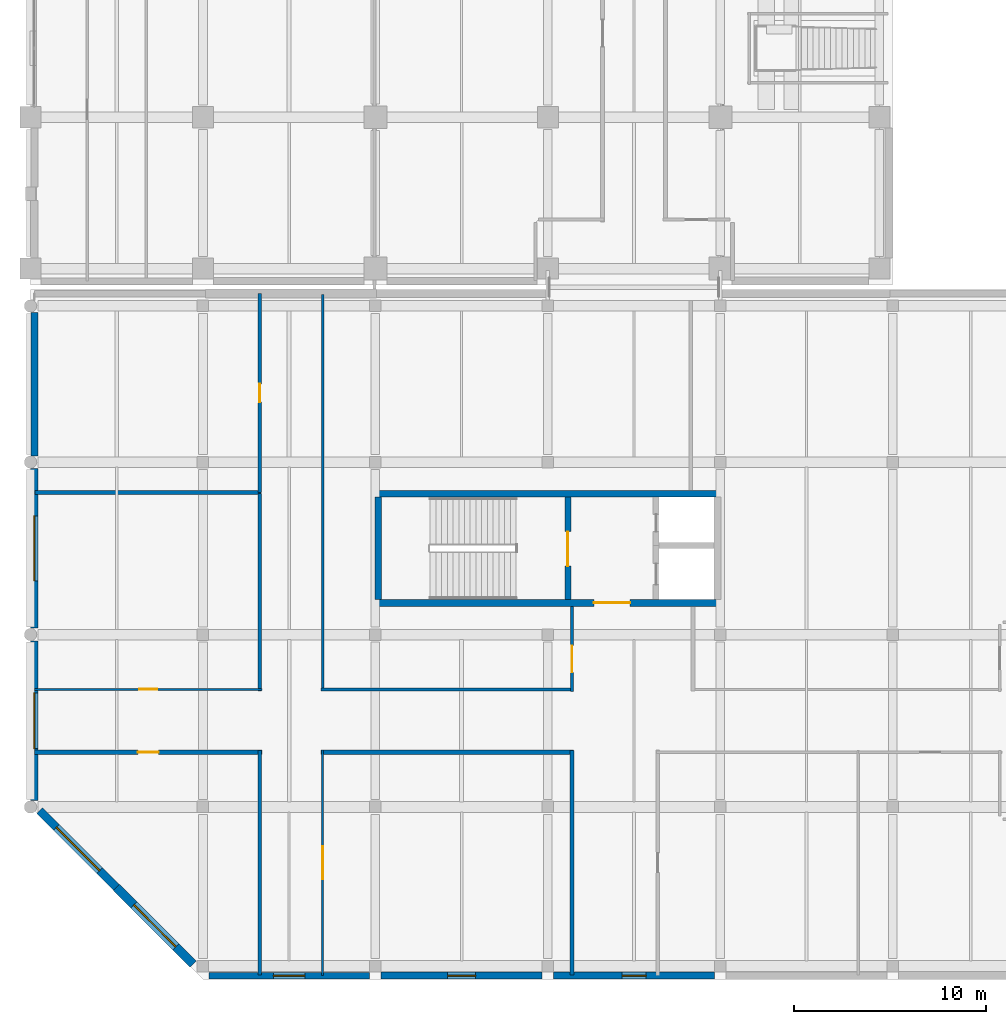
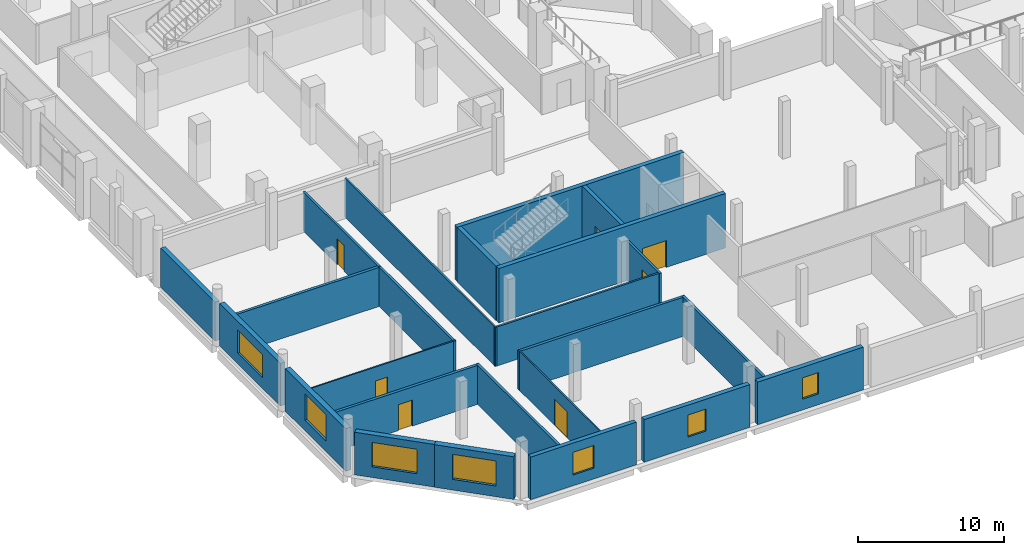
# One storey, part 51 of 100: 24 walls, 7 doors, 7 windows, 14 openings.
"""IFC4 building model written with IfcOpenShell, lengths in metres."""

from ifc_helpers import new_model, si_unit, direction, frame, frame_2d, origin, place, context, subcontext, project, spatial, rectangle, extrude, material, layer, layer_set, type_object, element, fill, save


model = new_model("IFC4")

# Units and contexts
model_context = context("Model", 3, precision=1e-05, world=origin(), true_north=direction((0.0, 1.0)))
body_context = subcontext(model_context, "Body", "Model", "MODEL_VIEW")
ifc_project = project(units=[si_unit("LENGTHUNIT", "METRE"), si_unit("AREAUNIT", "SQUARE_METRE"), si_unit("VOLUMEUNIT", "CUBIC_METRE"), si_unit("PLANEANGLEUNIT", "RADIAN"), si_unit("MASSUNIT", "GRAM", prefix="KILO"), si_unit("THERMODYNAMICTEMPERATUREUNIT", "KELVIN"), si_unit("POWERUNIT", "WATT")], contexts=[model_context])

# Site, building, storey
site_placement = place(None, origin())
site = spatial("IfcSite", under=ifc_project, at=site_placement, CompositionType="ELEMENT")
building_placement = place(site_placement, origin())
building = spatial("IfcBuilding", under=site, at=building_placement, Name="Sindhuravela Promenade Stadium", CompositionType="ELEMENT")
storey_placement = place(building_placement, frame((0.0, 0.0, 4.800048828125)))
storey = spatial("IfcBuildingStorey", under=building, at=storey_placement, Name="L01", CompositionType="ELEMENT", Elevation=4.800048828125)

# Wall, opening, window
ifc_material_1 = material(Name="Terracotta clay brick masonry (15 MPa)", Category="masonry")
ifc_layer_1 = layer(ifc_material_1, 0.340087890625)
ifc_layer_set_1 = layer_set([ifc_layer_1], Name="Terracotta clay brick masonry (15 MPa)")
wall_type_1 = type_object("IfcWallType", Name="EX-WL-BRK340", PredefinedType="SOLIDWALL", material=ifc_layer_set_1)
wall_1_placement = place(storey_placement, frame((17.695068359375, 0.199951171875, 0.0), z_axis=(0.0, 0.0, 1.0), x_axis=(-1.0, 0.0, 0.0)))
wall_1 = element("IfcWall", 1, at=wall_1_placement, inside=storey, type_object=wall_type_1, Name="Exterior masonry wall EW06 Pavilion SW L01", PredefinedType="SOLIDWALL", context=body_context, shape_type="SweptSolid", body=[
    extrude(rectangle(XDim=8.39013671875, YDim=0.340087890625, at=frame_2d((4.195068359375, 0.0))), origin(), (0.0, 0.0, 1.0), 3.579833984375),
])
opening_1_placement = place(wall_1_placement, frame((3.3701171875, 0.0, 0.89990234375)))
opening_1 = element("IfcOpeningElement", 2, at=opening_1_placement, cuts=wall_1, Name="Opening W27", PredefinedType="OPENING", context=body_context, shape_type="SweptSolid", body=[
    extrude(rectangle(XDim=1.64990234375, YDim=1.89990234375, at=frame_2d((0.824951171875, 0.949951171875))), frame((0.0, 0.179931640625, 0.0), z_axis=(0.0, -1.0, 0.0), x_axis=(1.0, 0.0, 0.0)), (0.0, 0.0, 1.0), 0.360107421875),
])
ifc_material_2 = material(Name="Tempered laminated low-E glass", Category="glass")
window_type_1 = type_object("IfcWindowType", Name="WN-FAC-1650x1900", PartitioningType="SINGLE_PANEL", PredefinedType="WINDOW", material=ifc_material_2)
window_1_placement = place(opening_1_placement, origin())
window_1 = element("IfcWindow", 3, at=window_1_placement, inside=storey, type_object=window_type_1, Name="Window W27 Pavilion SW L01", OverallHeight=1.89990234375, OverallWidth=1.64990234375, PartitioningType="SINGLE_PANEL", PredefinedType="WINDOW", context=body_context, shape_type="SweptSolid", body=[
    extrude(rectangle(XDim=1.64990234375, YDim=1.89990234375, at=frame_2d((0.824951171875, 0.949951171875))), frame((0.0, 0.030029296875, 0.0), z_axis=(0.0, -1.0, 0.0), x_axis=(1.0, 0.0, 0.0)), (0.0, 0.0, 1.0), 0.06005859375),
])
fill(opening_1, window_1)

# Wall
ifc_layer_2 = layer(ifc_material_1, 0.360107421875)
ifc_layer_set_2 = layer_set([ifc_layer_2], Name="Terracotta clay brick masonry (15 MPa)")
wall_type_2 = type_object("IfcWallType", Name="EX-WL-BRK360", PredefinedType="SOLIDWALL", material=ifc_layer_set_2)
wall_2_placement = place(storey_placement, frame((0.199951171875, 27.330078125, 0.0), z_axis=(0.0, 0.0, 1.0), x_axis=(0.0, 1.0, 0.0)))
element("IfcWall", 4, at=wall_2_placement, inside=storey, type_object=wall_type_2, Name="Exterior masonry wall EW05 Pavilion SW L01", PredefinedType="SOLIDWALL", context=body_context, shape_type="SweptSolid", body=[
    extrude(rectangle(XDim=7.489990234375, YDim=0.360107421875, at=frame_2d((3.7451171875, 0.0))), origin(), (0.0, 0.0, 1.0), 3.280029296875),
])

# Wall, opening, window
wall_3_placement = place(storey_placement, frame((26.695068359375, 0.199951171875, 0.0), z_axis=(0.0, 0.0, 1.0), x_axis=(-1.0, 0.0, 0.0)))
wall_3 = element("IfcWall", 5, at=wall_3_placement, inside=storey, type_object=wall_type_2, Name="Exterior masonry wall EW05 Pavilion SW L01", PredefinedType="SOLIDWALL", context=body_context, shape_type="SweptSolid", body=[
    extrude(rectangle(XDim=8.39013671875, YDim=0.360107421875, at=frame_2d((4.195068359375, 0.0))), origin(), (0.0, 0.0, 1.0), 3.579833984375),
])
opening_2_placement = place(wall_3_placement, frame((3.469970703125, 0.0, 0.89990234375)))
opening_2 = element("IfcOpeningElement", 6, at=opening_2_placement, cuts=wall_3, Name="Opening W26", PredefinedType="OPENING", context=body_context, shape_type="SweptSolid", body=[
    extrude(rectangle(XDim=1.449951171875, YDim=1.85009765625, at=frame_2d((0.72509765625, 0.925048828125))), frame((0.0, 0.18994140625, 0.0), z_axis=(0.0, -1.0, 0.0), x_axis=(1.0, 0.0, 0.0)), (0.0, 0.0, 1.0), 0.380126953125),
])
window_type_2 = type_object("IfcWindowType", Name="WN-FAC-1450x1850", PartitioningType="SINGLE_PANEL", PredefinedType="WINDOW", material=ifc_material_2)
window_2_placement = place(opening_2_placement, origin())
window_2 = element("IfcWindow", 7, at=window_2_placement, inside=storey, type_object=window_type_2, Name="Window W26 Pavilion SW L01", OverallHeight=1.85009765625, OverallWidth=1.449951171875, PartitioningType="SINGLE_PANEL", PredefinedType="WINDOW", context=body_context, shape_type="SweptSolid", body=[
    extrude(rectangle(XDim=1.449951171875, YDim=1.85009765625, at=frame_2d((0.72509765625, 0.925048828125))), frame((0.0, 0.030029296875, 0.0), z_axis=(0.0, -1.0, 0.0), x_axis=(1.0, 0.0, 0.0)), (0.0, 0.0, 1.0), 0.06005859375),
])
fill(opening_2, window_2)

ifc_layer_3 = layer(ifc_material_1, 0.3798828125)
ifc_layer_set_3 = layer_set([ifc_layer_3], Name="Terracotta clay brick masonry (15 MPa)")
wall_type_3 = type_object("IfcWallType", Name="EX-WL-BRK380", PredefinedType="SOLIDWALL", material=ifc_layer_set_3)
wall_4_placement = place(storey_placement, frame((0.199951171875, 18.330078125, 0.0), z_axis=(0.0, 0.0, 1.0), x_axis=(0.0, 1.0, 0.0)))
wall_4 = element("IfcWall", 8, at=wall_4_placement, inside=storey, type_object=wall_type_3, Name="Exterior masonry wall EW04 Pavilion SW L01", PredefinedType="SOLIDWALL", context=body_context, shape_type="SweptSolid", body=[
    extrude(rectangle(XDim=8.33984375, YDim=0.3798828125, at=frame_2d((4.169921875, 0.0))), origin(), (0.0, 0.0, 1.0), 3.579833984375),
])
opening_3_placement = place(wall_4_placement, frame((2.469970703125, 0.0, 0.89990234375)))
opening_3 = element("IfcOpeningElement", 9, at=opening_3_placement, cuts=wall_4, Name="Opening W24", PredefinedType="OPENING", context=body_context, shape_type="SweptSolid", body=[
    extrude(rectangle(XDim=3.39990234375, YDim=1.949951171875, at=frame_2d((1.699951171875, 0.97509765625))), frame((0.0, 0.199951171875, 0.0), z_axis=(0.0, -1.0, 0.0), x_axis=(1.0, 0.0, 0.0)), (0.0, 0.0, 1.0), 0.39990234375),
])
window_type_3 = type_object("IfcWindowType", Name="WN-FAC-3400x1950", PartitioningType="DOUBLE_PANEL_VERTICAL", PredefinedType="WINDOW", material=ifc_material_2)
window_3_placement = place(opening_3_placement, origin())
window_3 = element("IfcWindow", 10, at=window_3_placement, inside=storey, type_object=window_type_3, Name="Window W24 Pavilion SW L01", OverallHeight=1.949951171875, OverallWidth=3.39990234375, PartitioningType="DOUBLE_PANEL_VERTICAL", PredefinedType="WINDOW", context=body_context, shape_type="SweptSolid", body=[
    extrude(rectangle(XDim=3.39990234375, YDim=1.949951171875, at=frame_2d((1.699951171875, 0.97509765625))), frame((0.0, 0.030029296875, 0.0), z_axis=(0.0, -1.0, 0.0), x_axis=(1.0, 0.0, 0.0)), (0.0, 0.0, 1.0), 0.06005859375),
])
fill(opening_3, window_3)

wall_5_placement = place(storey_placement, frame((35.695068359375, 0.199951171875, 0.0), z_axis=(0.0, 0.0, 1.0), x_axis=(-1.0, 0.0, 0.0)))
wall_5 = element("IfcWall", 11, at=wall_5_placement, inside=storey, type_object=wall_type_3, Name="Exterior masonry wall EW04 Pavilion SW L01", PredefinedType="SOLIDWALL", context=body_context, shape_type="SweptSolid", body=[
    extrude(rectangle(XDim=8.39013671875, YDim=0.3798828125, at=frame_2d((4.195068359375, 0.0))), origin(), (0.0, 0.0, 1.0), 3.579833984375),
])
opening_4_placement = place(wall_5_placement, frame((3.570068359375, 0.0, 0.89990234375)))
opening_4 = element("IfcOpeningElement", 12, at=opening_4_placement, cuts=wall_5, Name="Opening W25", PredefinedType="OPENING", context=body_context, shape_type="SweptSolid", body=[
    extrude(rectangle(XDim=1.25, YDim=1.800048828125, at=frame_2d((0.625, 0.89990234375))), frame((0.0, 0.199951171875, 0.0), z_axis=(0.0, -1.0, 0.0), x_axis=(1.0, 0.0, 0.0)), (0.0, 0.0, 1.0), 0.39990234375),
])
window_type_4 = type_object("IfcWindowType", Name="WN-FAC-1250x1800", PartitioningType="SINGLE_PANEL", PredefinedType="WINDOW", material=ifc_material_2)
window_4_placement = place(opening_4_placement, origin())
window_4 = element("IfcWindow", 13, at=window_4_placement, inside=storey, type_object=window_type_4, Name="Window W25 Pavilion SW L01", OverallHeight=1.800048828125, OverallWidth=1.25, PartitioningType="SINGLE_PANEL", PredefinedType="WINDOW", context=body_context, shape_type="SweptSolid", body=[
    extrude(rectangle(XDim=1.25, YDim=1.800048828125, at=frame_2d((0.625, 0.89990234375))), frame((0.0, 0.030029296875, 0.0), z_axis=(0.0, -1.0, 0.0), x_axis=(1.0, 0.0, 0.0)), (0.0, 0.0, 1.0), 0.06005859375),
])
fill(opening_4, window_4)

ifc_layer_4 = layer(ifc_material_1, 0.39990234375)
ifc_layer_set_4 = layer_set([ifc_layer_4], Name="Terracotta clay brick masonry (15 MPa)")
wall_type_4 = type_object("IfcWallType", Name="EX-WL-BRK400", PredefinedType="SOLIDWALL", material=ifc_layer_set_4)
wall_6_placement = place(storey_placement, frame((0.199951171875, 9.330078125, 0.0), z_axis=(0.0, 0.0, 1.0), x_axis=(0.0, 1.0, 0.0)))
wall_6 = element("IfcWall", 14, at=wall_6_placement, inside=storey, type_object=wall_type_4, Name="Exterior masonry wall EW03 Pavilion SW L01", PredefinedType="SOLIDWALL", context=body_context, shape_type="SweptSolid", body=[
    extrude(rectangle(XDim=8.33984375, YDim=0.39990234375, at=frame_2d((4.169921875, 0.0))), origin(), (0.0, 0.0, 1.0), 3.579833984375),
])
opening_5_placement = place(wall_6_placement, frame((2.719970703125, 0.0, 0.89990234375)))
opening_5 = element("IfcOpeningElement", 15, at=opening_5_placement, cuts=wall_6, Name="Opening W19", PredefinedType="OPENING", context=body_context, shape_type="SweptSolid", body=[
    extrude(rectangle(XDim=2.89990234375, YDim=2.199951171875, at=frame_2d((1.449951171875, 1.10009765625))), frame((0.0, 0.2099609375, 0.0), z_axis=(0.0, -1.0, 0.0), x_axis=(1.0, 0.0, 0.0)), (0.0, 0.0, 1.0), 0.419921875),
])
window_type_5 = type_object("IfcWindowType", Name="WN-FAC-2900x2200", PartitioningType="DOUBLE_PANEL_VERTICAL", PredefinedType="WINDOW", material=ifc_material_2)
window_5_placement = place(opening_5_placement, origin())
window_5 = element("IfcWindow", 16, at=window_5_placement, inside=storey, type_object=window_type_5, Name="Window W23 Pavilion SW L01", OverallHeight=2.199951171875, OverallWidth=2.89990234375, PartitioningType="DOUBLE_PANEL_VERTICAL", PredefinedType="WINDOW", context=body_context, shape_type="SweptSolid", body=[
    extrude(rectangle(XDim=2.89990234375, YDim=2.199951171875, at=frame_2d((1.449951171875, 1.10009765625))), frame((0.0, 0.030029296875, 0.0), z_axis=(0.0, -1.0, 0.0), x_axis=(1.0, 0.0, 0.0)), (0.0, 0.0, 1.0), 0.06005859375),
])
fill(opening_5, window_5)

ifc_layer_5 = layer(ifc_material_1, 0.419921875)
ifc_layer_set_5 = layer_set([ifc_layer_5], Name="Terracotta clay brick masonry (15 MPa)")
wall_type_5 = type_object("IfcWallType", Name="EX-WL-BRK420", PredefinedType="SOLIDWALL", material=ifc_layer_set_5)
wall_7_placement = place(storey_placement, frame((4.47900390625, 4.803955078125, 0.0), z_axis=(0.0, 0.0, 1.0), x_axis=(-0.7071067811865476, 0.7071067811865476, 0.0)))
wall_7 = element("IfcWall", 17, at=wall_7_placement, inside=storey, type_object=wall_type_5, Name="Exterior masonry wall EW02 Pavilion SW L01", PredefinedType="SOLIDWALL", context=body_context, shape_type="SweptSolid", body=[
    extrude(rectangle(XDim=5.669677734375, YDim=0.419921875, at=frame_2d((2.8349609375, 0.0))), origin(), (0.0, 0.0, 1.0), 3.579833984375),
])
opening_6_placement = place(wall_7_placement, frame((1.23486328125, 0.0, 0.89990234375)))
opening_6 = element("IfcOpeningElement", 18, at=opening_6_placement, cuts=wall_7, Name="Opening W22", PredefinedType="OPENING", context=body_context, shape_type="SweptSolid", body=[
    extrude(rectangle(XDim=3.199951171875, YDim=2.050048828125, at=frame_2d((1.60009765625, 1.02490234375))), frame((0.0, 0.219970703125, 0.0), z_axis=(0.0, -1.0, 0.0), x_axis=(1.0, 0.0, 0.0)), (0.0, 0.0, 1.0), 0.43994140625),
])
window_type_6 = type_object("IfcWindowType", Name="WN-FAC-3200x2050", PartitioningType="DOUBLE_PANEL_VERTICAL", PredefinedType="WINDOW", material=ifc_material_2)
window_6_placement = place(opening_6_placement, origin())
window_6 = element("IfcWindow", 19, at=window_6_placement, inside=storey, type_object=window_type_6, Name="Window W22 Pavilion SW L01", OverallHeight=2.050048828125, OverallWidth=3.199951171875, PartitioningType="DOUBLE_PANEL_VERTICAL", PredefinedType="WINDOW", context=body_context, shape_type="SweptSolid", body=[
    extrude(rectangle(XDim=3.199951171875, YDim=2.050048828125, at=frame_2d((1.60009765625, 1.02490234375))), frame((0.0, 0.030029296875, 0.0), z_axis=(0.0, -1.0, 0.0), x_axis=(1.0, 0.0, 0.0)), (0.0, 0.0, 1.0), 0.06005859375),
])
fill(opening_6, window_6)

ifc_layer_6 = layer(ifc_material_1, 0.4599609375)
ifc_layer_set_6 = layer_set([ifc_layer_6], Name="Terracotta clay brick masonry (15 MPa)")
wall_type_6 = type_object("IfcWallType", Name="EX-WL-BRK460", PredefinedType="SOLIDWALL", material=ifc_layer_set_6)
wall_8_placement = place(storey_placement, frame((8.48779296875, 0.794921875, 0.0), z_axis=(0.0, 0.0, 1.0), x_axis=(-0.7070852496391992, 0.7071283120782759, 0.0)))
wall_8 = element("IfcWall", 20, at=wall_8_placement, inside=storey, type_object=wall_type_6, Name="Exterior masonry wall EW01 Pavilion SW L01", PredefinedType="SOLIDWALL", context=body_context, shape_type="SweptSolid", body=[
    extrude(rectangle(XDim=5.66943359375, YDim=0.4599609375, at=frame_2d((2.834716796875, 0.0))), origin(), (0.0, 0.0, 1.0), 3.579833984375),
])
opening_7_placement = place(wall_8_placement, frame((1.284912109375, 0.0, 0.89990234375)))
opening_7 = element("IfcOpeningElement", 21, at=opening_7_placement, cuts=wall_8, Name="Opening W21", PredefinedType="OPENING", context=body_context, shape_type="SweptSolid", body=[
    extrude(rectangle(XDim=3.10009765625, YDim=2.10009765625, at=frame_2d((1.550048828125, 1.050048828125))), frame((0.0, 0.239990234375, 0.0), z_axis=(0.0, -1.0, 0.0), x_axis=(1.0, 0.0, 0.0)), (0.0, 0.0, 1.0), 0.47998046875),
])
window_type_7 = type_object("IfcWindowType", Name="WN-FAC-3100x2100", PartitioningType="DOUBLE_PANEL_VERTICAL", PredefinedType="WINDOW", material=ifc_material_2)
window_7_placement = place(opening_7_placement, origin())
window_7 = element("IfcWindow", 22, at=window_7_placement, inside=storey, type_object=window_type_7, Name="Window W21 Pavilion SW L01", OverallHeight=2.10009765625, OverallWidth=3.10009765625, PartitioningType="DOUBLE_PANEL_VERTICAL", PredefinedType="WINDOW", context=body_context, shape_type="SweptSolid", body=[
    extrude(rectangle(XDim=3.10009765625, YDim=2.10009765625, at=frame_2d((1.550048828125, 1.050048828125))), frame((0.0, 0.030029296875, 0.0), z_axis=(0.0, -1.0, 0.0), x_axis=(1.0, 0.0, 0.0)), (0.0, 0.0, 1.0), 0.06005859375),
])
fill(opening_7, window_7)

# Wall, opening, door
ifc_material_3 = material(Name="Fire-rated gypsum partition board", Category="gypsum")
ifc_layer_7 = layer(ifc_material_3, 0.110107421875)
ifc_layer_set_7 = layer_set([ifc_layer_7], Name="Fire-rated gypsum partition board")
wall_type_7 = type_object("IfcWallType", Name="IN-WL-PAR110", PredefinedType="PARTITIONING", material=ifc_layer_set_7)
wall_9_placement = place(storey_placement, frame((15.239990234375, 11.97998046875, 0.0), z_axis=(0.0, 0.0, 1.0), x_axis=(0.0, -1.0, 0.0)))
wall_9 = element("IfcWall", 23, at=wall_9_placement, inside=storey, type_object=wall_type_7, Name="Corridor partition IW06 Refreshment Counter SW L01", PredefinedType="PARTITIONING", context=body_context, shape_type="SweptSolid", body=[
    extrude(rectangle(XDim=11.780029296875, YDim=0.110107421875, at=frame_2d((5.89013671875, 0.0))), origin(), (0.0, 0.0, 1.0), 3.280029296875),
])
opening_8_placement = place(wall_9_placement, frame((5.0400390625, 0.0, 0.0)))
opening_8 = element("IfcOpeningElement", 24, at=opening_8_placement, cuts=wall_9, Name="Opening ID01", PredefinedType="OPENING", context=body_context, shape_type="SweptSolid", body=[
    extrude(rectangle(XDim=1.699951171875, YDim=2.199951171875, at=frame_2d((0.85009765625, 1.10009765625))), frame((0.0, 0.06494140625, 0.0), z_axis=(0.0, -1.0, 0.0), x_axis=(1.0, 0.0, 0.0)), (0.0, 0.0, 1.0), 0.130126953125),
])
ifc_material_4 = material(Name="Architectural teak timber leaf", Category="wood")
door_type_1 = type_object("IfcDoorType", Name="DR-INT-1700x2200", OperationType="DOUBLE_DOOR_SINGLE_SWING", PredefinedType="DOOR", material=ifc_material_4)
door_1_placement = place(opening_8_placement, origin())
door_1 = element("IfcDoor", 25, at=door_1_placement, inside=storey, type_object=door_type_1, Name="Refreshment Counter SW L01 door", OperationType="DOUBLE_DOOR_SINGLE_SWING", OverallHeight=2.199951171875, OverallWidth=1.699951171875, PredefinedType="DOOR", context=body_context, shape_type="SweptSolid", body=[
    extrude(rectangle(XDim=1.699951171875, YDim=2.199951171875, at=frame_2d((0.85009765625, 1.10009765625))), frame((0.0, 0.02490234375, 0.0), z_axis=(0.0, -1.0, 0.0), x_axis=(1.0, 0.0, 0.0)), (0.0, 0.0, 1.0), 0.050048828125),
])
fill(opening_8, door_1)

wall_10_placement = place(storey_placement, frame((0.199951171875, 15.139892578125, 0.0), z_axis=(0.0, 0.0, 1.0), x_axis=(1.0, 0.0, 0.0)))
wall_10 = element("IfcWall", 26, at=wall_10_placement, inside=storey, type_object=wall_type_7, Name="Corridor partition IW06 Gate Concourse Foyer SW L01 2", PredefinedType="PARTITIONING", context=body_context, shape_type="SweptSolid", body=[
    extrude(rectangle(XDim=11.880126953125, YDim=0.110107421875, at=frame_2d((5.93994140625, 0.0))), origin(), (0.0, 0.0, 1.0), 3.280029296875),
])
opening_9_placement = place(wall_10_placement, frame((5.465087890625, 0.0, 0.0)))
opening_9 = element("IfcOpeningElement", 27, at=opening_9_placement, cuts=wall_10, Name="Opening ID09", PredefinedType="OPENING", context=body_context, shape_type="SweptSolid", body=[
    extrude(rectangle(XDim=0.949951171875, YDim=2.10009765625, at=frame_2d((0.47509765625, 1.050048828125))), frame((0.0, 0.06494140625, 0.0), z_axis=(0.0, -1.0, 0.0), x_axis=(1.0, 0.0, 0.0)), (0.0, 0.0, 1.0), 0.130126953125),
])
door_type_2 = type_object("IfcDoorType", Name="DR-INT-950x2100", OperationType="NOTDEFINED", PredefinedType="DOOR", material=ifc_material_4)
door_2_placement = place(opening_9_placement, origin())
door_2 = element("IfcDoor", 28, at=door_2_placement, inside=storey, type_object=door_type_2, Name="Gate Concourse Foyer SW L01 2 door", OperationType="SINGLE_SWING_LEFT", OverallHeight=2.10009765625, OverallWidth=0.949951171875, PredefinedType="DOOR", context=body_context, shape_type="SweptSolid", body=[
    extrude(rectangle(XDim=0.949951171875, YDim=2.10009765625, at=frame_2d((0.47509765625, 1.050048828125))), frame((0.0, 0.02490234375, 0.0), z_axis=(0.0, -1.0, 0.0), x_axis=(1.0, 0.0, 0.0)), (0.0, 0.0, 1.0), 0.050048828125),
])
fill(opening_9, door_2)

# Walls
ifc_layer_8 = layer(ifc_material_3, 0.1298828125)
ifc_layer_set_8 = layer_set([ifc_layer_8], Name="Fire-rated gypsum partition board")
wall_type_8 = type_object("IfcWallType", Name="IN-WL-PAR130", PredefinedType="PARTITIONING", material=ifc_layer_set_8)
wall_11_placement = place(storey_placement, frame((15.239990234375, 15.06005859375, 0.0), z_axis=(0.0, 0.0, 1.0), x_axis=(0.0, 1.0, 0.0)))
element("IfcWall", 29, at=wall_11_placement, inside=storey, type_object=wall_type_8, Name="Interior partition IW05 Pavilion SW L01", PredefinedType="PARTITIONING", context=body_context, shape_type="SweptSolid", body=[
    extrude(rectangle(XDim=20.699951171875, YDim=0.1298828125, at=frame_2d((10.35009765625, 0.0))), origin(), (0.0, 0.0, 1.0), 3.280029296875),
])
ifc_layer_9 = layer(ifc_material_3, 0.14990234375)
ifc_layer_set_9 = layer_set([ifc_layer_9], Name="Fire-rated gypsum partition board")
wall_type_9 = type_object("IfcWallType", Name="IN-WL-PAR150", PredefinedType="PARTITIONING", material=ifc_layer_set_9)
wall_12_placement = place(storey_placement, frame((28.340087890625, 15.139892578125, 0.0), z_axis=(0.0, 0.0, 1.0), x_axis=(-1.0, 0.0, 0.0)))
element("IfcWall", 30, at=wall_12_placement, inside=storey, type_object=wall_type_9, Name="Interior partition IW04 Pavilion SW L01", PredefinedType="PARTITIONING", context=body_context, shape_type="SweptSolid", body=[
    extrude(rectangle(XDim=13.18017578125, YDim=0.14990234375, at=frame_2d((6.590087890625, 0.0))), origin(), (0.0, 0.0, 1.0), 3.280029296875),
])

# Wall, opening, door
ifc_layer_10 = layer(ifc_material_3, 0.175048828125)
ifc_layer_set_10 = layer_set([ifc_layer_10], Name="Fire-rated gypsum partition board")
wall_type_10 = type_object("IfcWallType", Name="IN-WL-PAR175", PredefinedType="PARTITIONING", material=ifc_layer_set_10)
wall_13_placement = place(storey_placement, frame((28.260009765625, 15.02001953125, 0.0), z_axis=(0.0, 0.0, 1.0), x_axis=(0.0, 1.0, 0.0)))
wall_13 = element("IfcWall", 31, at=wall_13_placement, inside=storey, type_object=wall_type_10, Name="Corridor partition IW03 Supporters Information Lounge SW", PredefinedType="PARTITIONING", context=body_context, shape_type="SweptSolid", body=[
    extrude(rectangle(XDim=4.452880859375, YDim=0.175048828125, at=frame_2d((2.2265625, 0.0))), origin(), (0.0, 0.0, 1.0), 3.280029296875),
])
opening_10_placement = place(wall_13_placement, frame((1.000732421875, 0.0, 0.0)))
opening_10 = element("IfcOpeningElement", 32, at=opening_10_placement, cuts=wall_13, Name="Opening ID03", PredefinedType="OPENING", context=body_context, shape_type="SweptSolid", body=[
    extrude(rectangle(XDim=1.39990234375, YDim=2.14990234375, at=frame_2d((0.699951171875, 1.074951171875))), frame((0.0, 0.097412109375, 0.0), z_axis=(0.0, -1.0, 0.0), x_axis=(1.0, 0.0, 0.0)), (0.0, 0.0, 1.0), 0.195068359375),
])
door_type_3 = type_object("IfcDoorType", Name="DR-INT-1400x2150", OperationType="DOUBLE_DOOR_SINGLE_SWING", PredefinedType="DOOR", material=ifc_material_4)
door_3_placement = place(opening_10_placement, origin())
door_3 = element("IfcDoor", 33, at=door_3_placement, inside=storey, type_object=door_type_3, Name="Supporters Information Lounge SW door", OperationType="DOUBLE_DOOR_SINGLE_SWING", OverallHeight=2.14990234375, OverallWidth=1.39990234375, PredefinedType="DOOR", context=body_context, shape_type="SweptSolid", body=[
    extrude(rectangle(XDim=1.39990234375, YDim=2.14990234375, at=frame_2d((0.699951171875, 1.074951171875))), frame((0.0, 0.02490234375, 0.0), z_axis=(0.0, -1.0, 0.0), x_axis=(1.0, 0.0, 0.0)), (0.0, 0.0, 1.0), 0.050048828125),
])
fill(opening_10, door_3)

wall_14_placement = place(storey_placement, frame((11.9599609375, 25.409912109375, 0.0), z_axis=(0.0, 0.0, 1.0), x_axis=(0.0, 1.0, 0.0)))
wall_14 = element("IfcWall", 34, at=wall_14_placement, inside=storey, type_object=wall_type_10, Name="Corridor partition IW03 Supporters Information Lounge SW 3", PredefinedType="PARTITIONING", context=body_context, shape_type="SweptSolid", body=[
    extrude(rectangle(XDim=10.39013671875, YDim=0.175048828125, at=frame_2d((5.195068359375, 0.0))), origin(), (0.0, 0.0, 1.0), 3.280029296875),
])
opening_11_placement = place(wall_14_placement, frame((4.719970703125, 0.0, 0.0)))
opening_11 = element("IfcOpeningElement", 35, at=opening_11_placement, cuts=wall_14, Name="Opening ID10", PredefinedType="OPENING", context=body_context, shape_type="SweptSolid", body=[
    extrude(rectangle(XDim=0.949951171875, YDim=2.179931640625, at=frame_2d((0.47509765625, 1.08984375))), frame((0.0, 0.097412109375, 0.0), z_axis=(0.0, -1.0, 0.0), x_axis=(1.0, 0.0, 0.0)), (0.0, 0.0, 1.0), 0.195068359375),
])
door_type_4 = type_object("IfcDoorType", Name="DR-INT-950x2180", OperationType="NOTDEFINED", PredefinedType="DOOR", material=ifc_material_4)
door_4_placement = place(opening_11_placement, origin())
door_4 = element("IfcDoor", 36, at=door_4_placement, inside=storey, type_object=door_type_4, Name="Supporters Information Lounge SW 3 door", OperationType="SINGLE_SWING_RIGHT", OverallHeight=2.179931640625, OverallWidth=0.949951171875, PredefinedType="DOOR", context=body_context, shape_type="SweptSolid", body=[
    extrude(rectangle(XDim=0.949951171875, YDim=2.179931640625, at=frame_2d((0.47509765625, 1.08984375))), frame((0.0, 0.02490234375, 0.0), z_axis=(0.0, -1.0, 0.0), x_axis=(1.0, 0.0, 0.0)), (0.0, 0.0, 1.0), 0.050048828125),
])
fill(opening_11, door_4)

# Walls
ifc_layer_11 = layer(ifc_material_3, 0.195068359375)
ifc_layer_set_11 = layer_set([ifc_layer_11], Name="Fire-rated gypsum partition board")
wall_type_11 = type_object("IfcWallType", Name="IN-WL-PAR195", PredefinedType="PARTITIONING", material=ifc_layer_set_11)
wall_15_placement = place(storey_placement, frame((28.260009765625, 11.93994140625, 0.0), z_axis=(0.0, 0.0, 1.0), x_axis=(0.0, -1.0, 0.0)))
element("IfcWall", 37, at=wall_15_placement, inside=storey, type_object=wall_type_11, Name="Interior partition IW02 Pavilion SW L01", PredefinedType="PARTITIONING", context=body_context, shape_type="SweptSolid", body=[
    extrude(rectangle(XDim=11.699951171875, YDim=0.195068359375, at=frame_2d((5.85009765625, 0.0))), origin(), (0.0, 0.0, 1.0), 3.280029296875),
])
wall_16_placement = place(storey_placement, frame((11.9599609375, 25.3701171875, 0.0), z_axis=(0.0, 0.0, 1.0), x_axis=(0.0, -1.0, 0.0)))
element("IfcWall", 38, at=wall_16_placement, inside=storey, type_object=wall_type_11, Name="Interior partition IW02 Pavilion SW L01", PredefinedType="PARTITIONING", context=body_context, shape_type="SweptSolid", body=[
    extrude(rectangle(XDim=10.31005859375, YDim=0.195068359375, at=frame_2d((5.155029296875, 0.0))), origin(), (0.0, 0.0, 1.0), 3.280029296875),
])
wall_17_placement = place(storey_placement, frame((11.9599609375, 11.93994140625, 0.0), z_axis=(0.0, 0.0, 1.0), x_axis=(0.0, -1.0, 0.0)))
element("IfcWall", 39, at=wall_17_placement, inside=storey, type_object=wall_type_11, Name="Interior partition IW02 Pavilion SW L01", PredefinedType="PARTITIONING", context=body_context, shape_type="SweptSolid", body=[
    extrude(rectangle(XDim=11.699951171875, YDim=0.195068359375, at=frame_2d((5.85009765625, 0.0))), origin(), (0.0, 0.0, 1.0), 3.280029296875),
])
ifc_layer_12 = layer(ifc_material_3, 0.219970703125)
ifc_layer_set_12 = layer_set([ifc_layer_12], Name="Fire-rated gypsum partition board")
wall_type_12 = type_object("IfcWallType", Name="IN-WL-PAR220", PredefinedType="PARTITIONING", material=ifc_layer_set_12)
wall_18_placement = place(storey_placement, frame((15.159912109375, 11.860107421875, 0.0), z_axis=(0.0, 0.0, 1.0), x_axis=(1.0, 0.0, 0.0)))
element("IfcWall", 40, at=wall_18_placement, inside=storey, type_object=wall_type_12, Name="Interior partition IW01 Pavilion SW L01", PredefinedType="PARTITIONING", context=body_context, shape_type="SweptSolid", body=[
    extrude(rectangle(XDim=13.18017578125, YDim=0.219970703125, at=frame_2d((6.590087890625, 0.0))), origin(), (0.0, 0.0, 1.0), 3.280029296875),
])
wall_19_placement = place(storey_placement, frame((0.239990234375, 25.409912109375, 0.0), z_axis=(0.0, 0.0, 1.0), x_axis=(1.0, 0.0, 0.0)))
element("IfcWall", 41, at=wall_19_placement, inside=storey, type_object=wall_type_12, Name="Interior partition IW01 Pavilion SW L01", PredefinedType="PARTITIONING", context=body_context, shape_type="SweptSolid", body=[
    extrude(rectangle(XDim=11.800048828125, YDim=0.219970703125, at=frame_2d((5.89990234375, 0.0))), origin(), (0.0, 0.0, 1.0), 3.280029296875),
])

# Wall, opening, door
wall_20_placement = place(storey_placement, frame((12.080078125, 11.860107421875, 0.0), z_axis=(0.0, 0.0, 1.0), x_axis=(-1.0, 0.0, 0.0)))
wall_20 = element("IfcWall", 42, at=wall_20_placement, inside=storey, type_object=wall_type_12, Name="Corridor partition IW01 Accessible WC SW L01 5", PredefinedType="PARTITIONING", context=body_context, shape_type="SweptSolid", body=[
    extrude(rectangle(XDim=11.880126953125, YDim=0.219970703125, at=frame_2d((5.93994140625, 0.0))), origin(), (0.0, 0.0, 1.0), 3.280029296875),
])
opening_12_placement = place(wall_20_placement, frame((5.39990234375, 0.0, 0.0)))
opening_12 = element("IfcOpeningElement", 43, at=opening_12_placement, cuts=wall_20, Name="Opening ID12", PredefinedType="OPENING", context=body_context, shape_type="SweptSolid", body=[
    extrude(rectangle(XDim=1.080078125, YDim=2.179931640625, at=frame_2d((0.5400390625, 1.08984375))), frame((0.0, 0.119873046875, 0.0), z_axis=(0.0, -1.0, 0.0), x_axis=(1.0, 0.0, 0.0)), (0.0, 0.0, 1.0), 0.239990234375),
])
door_type_5 = type_object("IfcDoorType", Name="DR-INT-1080x2180", OperationType="NOTDEFINED", PredefinedType="DOOR", material=ifc_material_4)
door_5_placement = place(opening_12_placement, origin())
door_5 = element("IfcDoor", 44, at=door_5_placement, inside=storey, type_object=door_type_5, Name="Accessible WC SW L01 5 door", OperationType="SINGLE_SWING_RIGHT", OverallHeight=2.179931640625, OverallWidth=1.080078125, PredefinedType="DOOR", context=body_context, shape_type="SweptSolid", body=[
    extrude(rectangle(XDim=1.080078125, YDim=2.179931640625, at=frame_2d((0.5400390625, 1.08984375))), frame((0.0, 0.02490234375, 0.0), z_axis=(0.0, -1.0, 0.0), x_axis=(1.0, 0.0, 0.0)), (0.0, 0.0, 1.0), 0.050048828125),
])
fill(opening_12, door_5)

ifc_material_5 = material(Name="Concrete M50", Category="concrete")
ifc_layer_13 = layer(ifc_material_5, 0.300048828125)
ifc_layer_set_13 = layer_set([ifc_layer_13], Name="Concrete M50")
wall_type_13 = type_object("IfcWallType", Name="RC-SW-300", PredefinedType="SHEAR", material=ifc_layer_set_13)
wall_21_placement = place(storey_placement, frame((28.050048828125, 19.824951171875, 0.0), z_axis=(0.0, 0.0, 1.0), x_axis=(0.0, 1.0, 0.0)))
wall_21 = element("IfcWall", 45, at=wall_21_placement, inside=storey, type_object=wall_type_13, Name="Core shear wall C13-ST (L01)", PredefinedType="SHEAR", context=body_context, shape_type="SweptSolid", body=[
    extrude(rectangle(XDim=5.35009765625, YDim=0.300048828125, at=frame_2d((2.675048828125, 0.0))), origin(), (0.0, 0.0, 1.0), 4.56494140625),
])
opening_13_placement = place(wall_21_placement, frame((1.75, 0.0, 0.0)))
opening_13 = element("IfcOpeningElement", 46, at=opening_13_placement, cuts=wall_21, Name="Opening FD01", PredefinedType="OPENING", context=body_context, shape_type="SweptSolid", body=[
    extrude(rectangle(XDim=1.800048828125, YDim=2.25, at=frame_2d((0.89990234375, 1.125))), frame((0.0, 0.159912109375, 0.0), z_axis=(0.0, -1.0, 0.0), x_axis=(1.0, 0.0, 0.0)), (0.0, 0.0, 1.0), 0.320068359375),
])
ifc_material_6 = material(Name="Architectural wrought steel E350", Category="steel")
door_type_6 = type_object("IfcDoorType", Name="DR-CORE-1800x2250", OperationType="DOUBLE_DOOR_SINGLE_SWING", PredefinedType="DOOR", material=ifc_material_6)
door_6_placement = place(opening_13_placement, origin())
door_6 = element("IfcDoor", 47, at=door_6_placement, inside=storey, type_object=door_type_6, Name="Stair GS01 lobby fire door (L01)", OperationType="DOUBLE_DOOR_SINGLE_SWING", OverallHeight=2.25, OverallWidth=1.800048828125, PredefinedType="DOOR", context=body_context, shape_type="SweptSolid", body=[
    extrude(rectangle(XDim=1.800048828125, YDim=2.25, at=frame_2d((0.89990234375, 1.125))), frame((0.0, 0.02490234375, 0.0), z_axis=(0.0, -1.0, 0.0), x_axis=(1.0, 0.0, 0.0)), (0.0, 0.0, 1.0), 0.050048828125),
])
fill(opening_13, door_6)

ifc_layer_14 = layer(ifc_material_5, 0.35009765625)
ifc_layer_set_14 = layer_set([ifc_layer_14], Name="Concrete M50")
wall_type_14 = type_object("IfcWallType", Name="RC-SW-350", PredefinedType="SHEAR", material=ifc_layer_set_14)
wall_22_placement = place(storey_placement, frame((18.0, 19.64990234375, 0.0), z_axis=(0.0, 0.0, 1.0), x_axis=(1.0, 0.0, 0.0)))
wall_22 = element("IfcWall", 48, at=wall_22_placement, inside=storey, type_object=wall_type_14, Name="Core shear wall C13-S (L01)", PredefinedType="SHEAR", context=body_context, shape_type="SweptSolid", body=[
    extrude(rectangle(XDim=18.0, YDim=0.35009765625, at=frame_2d((9.0, 0.0))), origin(), (0.0, 0.0, 1.0), 4.56494140625),
])
opening_14_placement = place(wall_22_placement, frame((11.39990234375, 0.0, 0.0)))
opening_14 = element("IfcOpeningElement", 49, at=opening_14_placement, cuts=wall_22, Name="Opening FD02", PredefinedType="OPENING", context=body_context, shape_type="SweptSolid", body=[
    extrude(rectangle(XDim=1.89990234375, YDim=2.25, at=frame_2d((0.949951171875, 1.125))), frame((0.0, 0.18505859375, 0.0), z_axis=(0.0, -1.0, 0.0), x_axis=(1.0, 0.0, 0.0)), (0.0, 0.0, 1.0), 0.3701171875),
])
door_type_7 = type_object("IfcDoorType", Name="DR-LOB-1900x2250", OperationType="DOUBLE_DOOR_SINGLE_SWING", PredefinedType="DOOR", material=ifc_material_6)
door_7_placement = place(opening_14_placement, origin())
door_7 = element("IfcDoor", 50, at=door_7_placement, inside=storey, type_object=door_type_7, Name="Protected lobby entrance door C13 (L01)", OperationType="DOUBLE_DOOR_SINGLE_SWING", OverallHeight=2.25, OverallWidth=1.89990234375, PredefinedType="DOOR", context=body_context, shape_type="SweptSolid", body=[
    extrude(rectangle(XDim=1.89990234375, YDim=2.25, at=frame_2d((0.949951171875, 1.125))), frame((0.0, 0.02490234375, 0.0), z_axis=(0.0, -1.0, 0.0), x_axis=(1.0, 0.0, 0.0)), (0.0, 0.0, 1.0), 0.050048828125),
])
fill(opening_14, door_7)

# Walls
wall_23_placement = place(storey_placement, frame((36.0, 25.35009765625, 0.0), z_axis=(0.0, 0.0, 1.0), x_axis=(-1.0, 0.0, 0.0)))
element("IfcWall", 51, at=wall_23_placement, inside=storey, type_object=wall_type_14, Name="Core shear wall C13-N (L01)", PredefinedType="SHEAR", context=body_context, shape_type="SweptSolid", body=[
    extrude(rectangle(XDim=18.0, YDim=0.35009765625, at=frame_2d((9.0, 0.0))), origin(), (0.0, 0.0, 1.0), 4.56494140625),
])
wall_24_placement = place(storey_placement, frame((18.14990234375, 25.175048828125, 0.0), z_axis=(0.0, 0.0, 1.0), x_axis=(0.0, -1.0, 0.0)))
element("IfcWall", 52, at=wall_24_placement, inside=storey, type_object=wall_type_14, Name="Core shear wall C13-W (L01)", PredefinedType="SHEAR", context=body_context, shape_type="SweptSolid", body=[
    extrude(rectangle(XDim=5.35009765625, YDim=0.35009765625, at=frame_2d((2.675048828125, 0.0))), origin(), (0.0, 0.0, 1.0), 4.56494140625),
])

save(model, "model.ifc")
